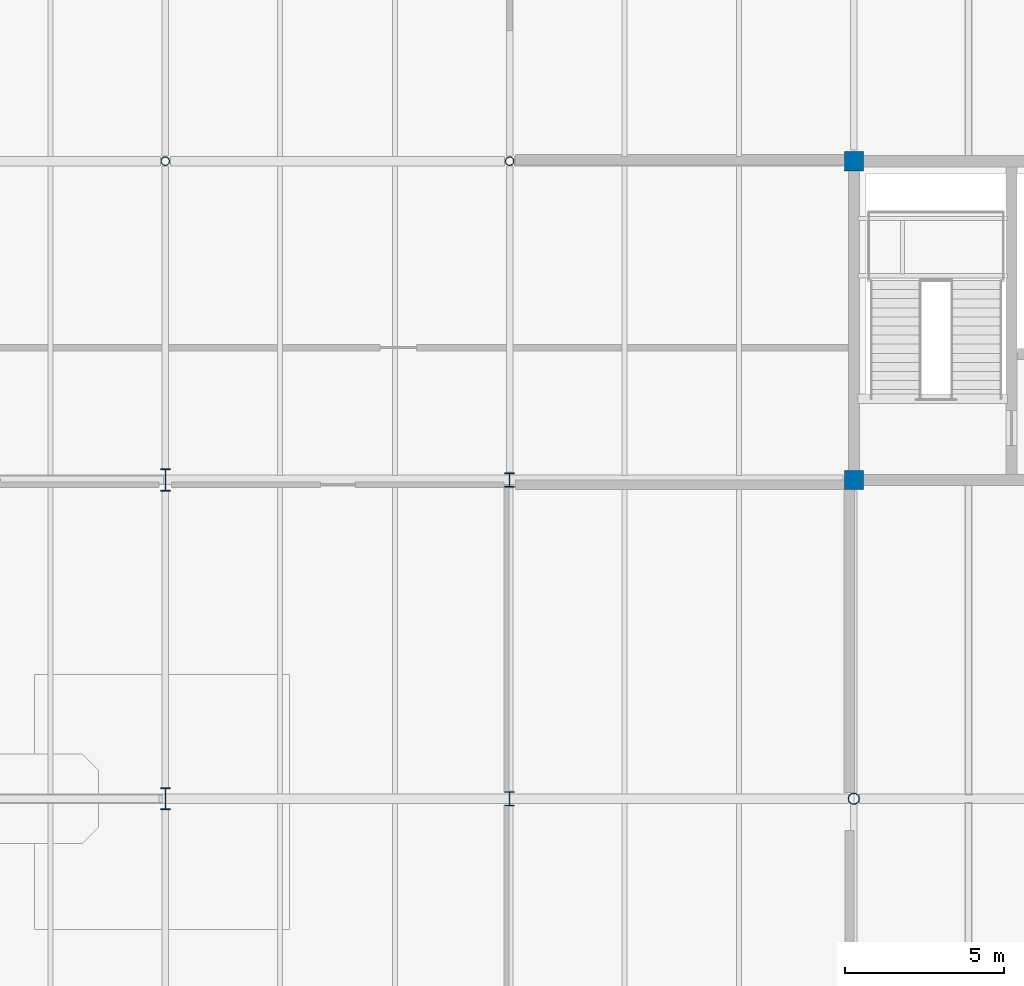
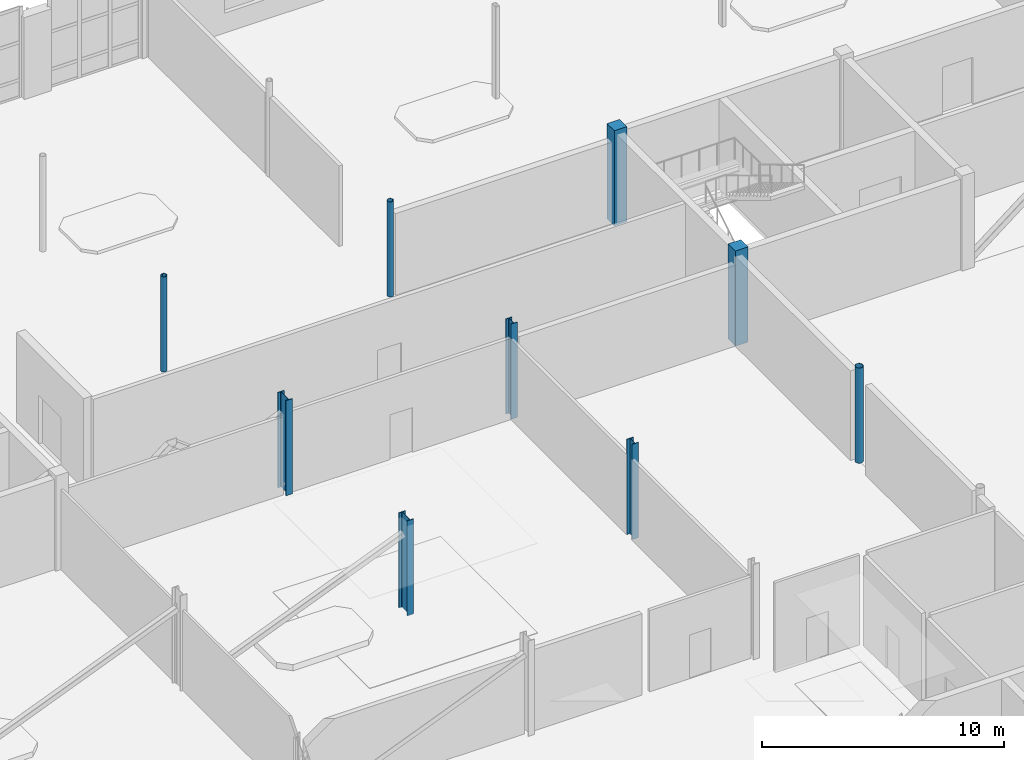
# One storey, part 7 of 100: 9 columns.
"""IFC4 building model written with IfcOpenShell, lengths in metres."""

from ifc_helpers import new_model, si_unit, direction, frame, origin, origin_2d, place, context, subcontext, project, spatial, rectangle, hollow_circle, i_section, extrude, material, material_profile, profile_set, type_object, element, save


model = new_model("IFC4")

# Units and contexts
model_context = context("Model", 3, precision=1e-05, world=origin(), true_north=direction((0.0, 1.0)))
body_context = subcontext(model_context, "Body", "Model", "MODEL_VIEW")
ifc_project = project(units=[si_unit("LENGTHUNIT", "METRE"), si_unit("AREAUNIT", "SQUARE_METRE"), si_unit("VOLUMEUNIT", "CUBIC_METRE"), si_unit("PLANEANGLEUNIT", "RADIAN"), si_unit("MASSUNIT", "GRAM", prefix="KILO")], contexts=[model_context])

# Site, building, storey
site_placement = place(None, origin())
site = spatial("IfcSite", under=ifc_project, at=site_placement, CompositionType="ELEMENT")
building_placement = place(site_placement, origin())
building = spatial("IfcBuilding", under=site, at=building_placement, Name="Tasgan Crest Museum", CompositionType="ELEMENT")
storey_placement = place(building_placement, frame((0.0, 0.0, 9.60009765625)))
storey = spatial("IfcBuildingStorey", under=building, at=storey_placement, Name="L02", CompositionType="ELEMENT", Elevation=9.60009765625)

# Columns
ifc_material_1 = material(Name="Steel S355J2", Category="steel")
ifc_material_profile_1 = material_profile(ifc_material_1, hollow_circle(Radius=0.136474609375, WallThickness=0.012451171875, at=origin_2d()), Name="CHS 273x12.5")
ifc_profile_set_1 = profile_set([ifc_material_profile_1], Name="Steel S355J2")
column_type_1 = type_object("IfcColumnType", Name="COL-CHS273", PredefinedType="COLUMN", material=ifc_profile_set_1)
for number, where, z_axis, x_axis, name in (
    (1, (32.39990234375, 92.0, 0.0), (0.0, 0.0, 1.0), (1.0, 0.0, 0.0), "Column 4/K L02"),
    (2, (43.199951171875, 92.0, 0.0), (0.0, 0.0, 1.0), (1.0, 0.0, 0.0), "Column 5/K L02"),
):
    element("IfcColumn", number, at=place(storey_placement, frame(where, z_axis=z_axis, x_axis=x_axis)), inside=storey, type_object=column_type_1, Name=name, PredefinedType="COLUMN", context=body_context, shape_type="SweptSolid", body=[
        extrude(hollow_circle(Radius=0.136474609375, WallThickness=0.012451171875, at=origin_2d()), origin(), (0.0, 0.0, 1.0), 4.7998046875),
    ])
ifc_material_2 = material(Name="Steel S355K2", Category="steel")
ifc_material_profile_2 = material_profile(ifc_material_2, hollow_circle(Radius=0.177734375, WallThickness=0.01611328125, at=origin_2d()), Name="CHS 355.6x16")
ifc_profile_set_2 = profile_set([ifc_material_profile_2], Name="Steel S355K2")
column_type_2 = type_object("IfcColumnType", Name="COL-CHS355", PredefinedType="COLUMN", material=ifc_profile_set_2)
column_placement = place(storey_placement, frame((54.0, 72.0, 0.0), z_axis=(0.0, 0.0, 1.0), x_axis=(1.0, 0.0, 0.0)))
element("IfcColumn", 3, at=column_placement, inside=storey, type_object=column_type_2, Name="Column 6/H L02", PredefinedType="COLUMN", context=body_context, shape_type="SweptSolid", body=[
    extrude(hollow_circle(Radius=0.177734375, WallThickness=0.01611328125, at=origin_2d()), origin(), (0.0, 0.0, 1.0), 4.7998046875),
])
ifc_material_3 = material(Name="Steel S355J2", Category="steel")
ifc_material_profile_3 = material_profile(ifc_material_3, i_section(OverallWidth=0.300048828125, OverallDepth=0.449951171875, WebThickness=0.013916015625, FlangeThickness=0.02587890625, FilletRadius=0.027099609375, at=origin_2d()), Name="HEB 450")
ifc_profile_set_3 = profile_set([ifc_material_profile_3], Name="Steel S355J2")
column_type_3 = type_object("IfcColumnType", Name="COL-HEB450", PredefinedType="COLUMN", material=ifc_profile_set_3)
for number, where, z_axis, x_axis, name in (
    (4, (43.199951171875, 72.0, 0.0), (0.0, 0.0, 1.0), (1.0, 0.0, 0.0), "Column 5/H L02"),
    (5, (43.199951171875, 82.0, 0.0), (0.0, 0.0, 1.0), (1.0, 0.0, 0.0), "Column 5/J L02"),
):
    element("IfcColumn", number, at=place(storey_placement, frame(where, z_axis=z_axis, x_axis=x_axis)), inside=storey, type_object=column_type_3, Name=name, PredefinedType="COLUMN", context=body_context, shape_type="SweptSolid", body=[
        extrude(i_section(OverallWidth=0.300048828125, OverallDepth=0.449951171875, WebThickness=0.013916015625, FlangeThickness=0.02587890625, FilletRadius=0.027099609375, at=origin_2d()), origin(), (0.0, 0.0, 1.0), 4.7998046875),
    ])
ifc_material_4 = material(Name="Steel S355K2", Category="steel")
ifc_material_profile_4 = material_profile(ifc_material_4, i_section(OverallWidth=0.300048828125, OverallDepth=0.699951171875, WebThickness=0.01708984375, FlangeThickness=0.031982421875, FilletRadius=0.027099609375, at=origin_2d()), Name="HEB 700")
ifc_profile_set_4 = profile_set([ifc_material_profile_4], Name="Steel S355K2")
column_type_4 = type_object("IfcColumnType", Name="COL-HEB700", PredefinedType="COLUMN", material=ifc_profile_set_4)
for number, where, z_axis, x_axis, name in (
    (6, (32.39990234375, 72.0, 0.0), (0.0, 0.0, 1.0), (1.0, 0.0, 0.0), "Column 4/H L02"),
    (7, (32.39990234375, 82.0, 0.0), (0.0, 0.0, 1.0), (1.0, 0.0, 0.0), "Column 4/J L02"),
):
    element("IfcColumn", number, at=place(storey_placement, frame(where, z_axis=z_axis, x_axis=x_axis)), inside=storey, type_object=column_type_4, Name=name, PredefinedType="COLUMN", context=body_context, shape_type="SweptSolid", body=[
        extrude(i_section(OverallWidth=0.300048828125, OverallDepth=0.699951171875, WebThickness=0.01708984375, FlangeThickness=0.031982421875, FilletRadius=0.027099609375, at=origin_2d()), origin(), (0.0, 0.0, 1.0), 4.7998046875),
    ])
ifc_material_5 = material(Name="Concrete C40/50", Category="concrete")
ifc_material_profile_5 = material_profile(ifc_material_5, rectangle(XDim=0.60009765625, YDim=0.60009765625, at=origin_2d()), Name="RC 600x600")
ifc_profile_set_5 = profile_set([ifc_material_profile_5], Name="Concrete C40/50")
column_type_5 = type_object("IfcColumnType", Name="COL-RC600", PredefinedType="COLUMN", material=ifc_profile_set_5)
for number, where, z_axis, x_axis, name in (
    (8, (54.0, 82.0, 0.0), (0.0, 0.0, 1.0), (1.0, 0.0, 0.0), "Column 6/J L02"),
    (9, (54.0, 92.0, 0.0), (0.0, 0.0, 1.0), (1.0, 0.0, 0.0), "Column 6/K L02"),
):
    element("IfcColumn", number, at=place(storey_placement, frame(where, z_axis=z_axis, x_axis=x_axis)), inside=storey, type_object=column_type_5, Name=name, PredefinedType="COLUMN", context=body_context, shape_type="SweptSolid", body=[
        extrude(rectangle(XDim=0.60009765625, YDim=0.60009765625, at=origin_2d()), origin(), (0.0, 0.0, 1.0), 4.7998046875),
    ])

save(model, "model.ifc")
